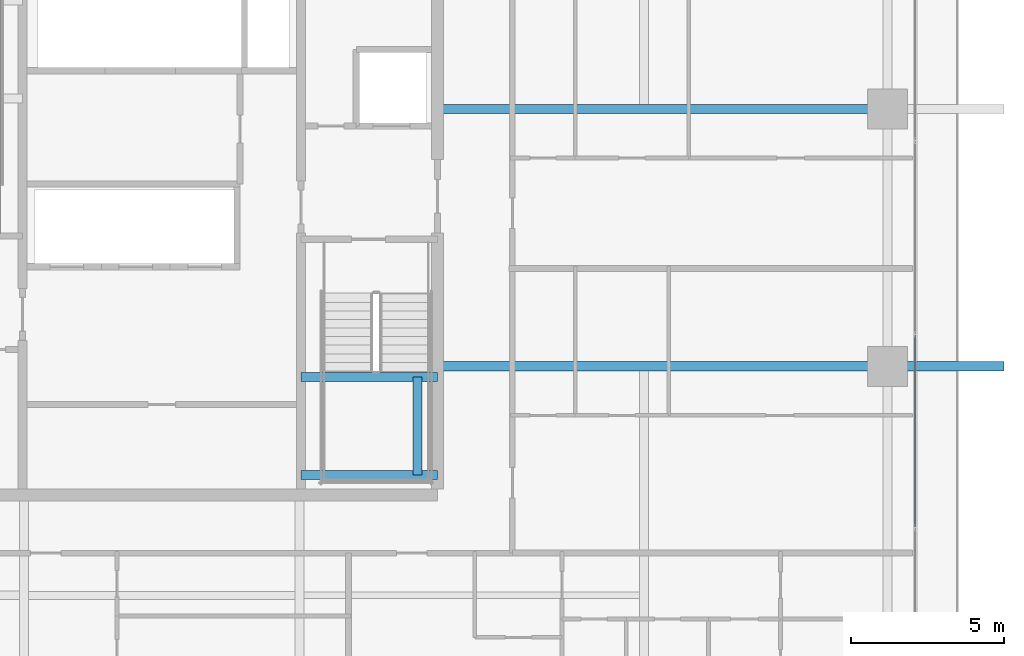
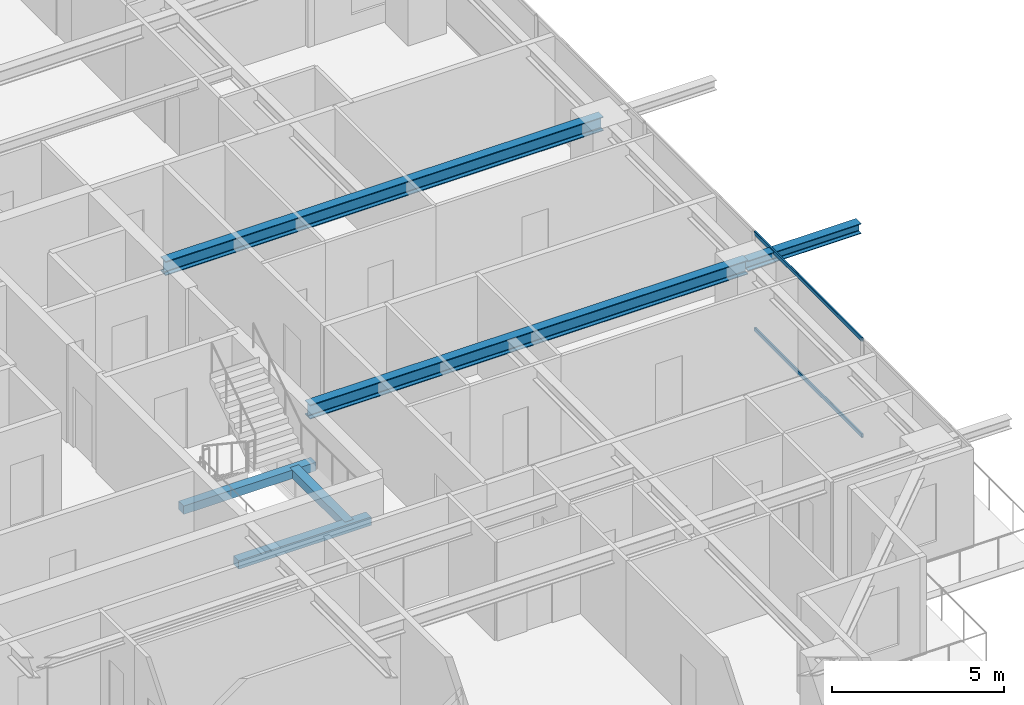
# One storey, part 15 of 37: 6 beams, 2 members, 1 element without a shape of its own.
"""IFC4 building model written with IfcOpenShell, lengths in metres."""

import ifcopenshell
import ifcopenshell.guid

model = None  # the IFC model being written
_history = None  # IfcOwnerHistory: only IFC2X3 demands one
_inside = {}  # id of a spatial element -> (the spatial element, [elements in it])
_under = {}  # id of a project, library or spatial element -> (it, [spatial elements below it])
_declared = {}  # id of a project -> (the project, [libraries it declares])
_typed = {}  # id of a type object -> (the type object, [elements of that type])
_made_of = {}  # id of a material, layer set ... -> (it, [elements and type objects made of it])


def new_model(schema):
    """Start an empty IFC model of exactly this schema.

    Asked for "IFC4X3", IfcOpenShell would pick the latest addendum, in which some entities
    have other attributes; the version numbers below select the first issue.
    IFC2X3 requires an IfcOwnerHistory on every rooted entity: one is made here for all.
    """
    global model, _history
    if schema == "IFC4X3":
        model = ifcopenshell.file(schema_version=(4, 3, 0, 0))
    else:
        model = ifcopenshell.file(schema=schema)
    _inside.clear()
    _under.clear()
    _declared.clear()
    _typed.clear()
    _made_of.clear()
    _history = None
    if model.schema == "IFC2X3":
        org = make("IfcOrganization", Name="unknown")
        user = make(
            "IfcPersonAndOrganization",
            ThePerson=make("IfcPerson", FamilyName="unknown"),
            TheOrganization=org,
        )
        app = make(
            "IfcApplication",
            ApplicationDeveloper=org,
            Version="unknown",
            ApplicationFullName="unknown",
            ApplicationIdentifier="unknown",
        )
        _history = make(
            "IfcOwnerHistory",
            OwningUser=user,
            OwningApplication=app,
            ChangeAction="ADDED",
            CreationDate=0,
        )
    return model


def make(cls, **values):
    """One entity of the class cls with the attributes given. An attribute that is None is left unset."""
    return model.create_entity(
        cls, **{name: value for name, value in values.items() if value is not None}
    )


def rooted(cls, **values):
    """An entity with a GlobalId (a new one), such as an element, a storey or a relation."""
    return make(cls, GlobalId=ifcopenshell.guid.new(), OwnerHistory=_history, **values)


def si_unit(unit_type, name, prefix=None):
    """IfcSIUnit, for example si_unit("LENGTHUNIT", "METRE", prefix="MILLI")."""
    return make("IfcSIUnit", UnitType=unit_type, Prefix=prefix, Name=name)


def assignment(units):
    """IfcUnitAssignment: the units of a project."""
    return None if units is None else make("IfcUnitAssignment", Units=units)


def point(xyz):
    """IfcCartesianPoint."""
    return None if xyz is None else make("IfcCartesianPoint", Coordinates=xyz)


def direction(xyz):
    """IfcDirection."""
    return None if xyz is None else make("IfcDirection", DirectionRatios=xyz)


def frame(location, z_axis=None, x_axis=None):
    """IfcAxis2Placement3D, a coordinate frame: its origin and axes. An axis left out is left unset."""
    return make(
        "IfcAxis2Placement3D",
        Location=point(location),
        Axis=direction(z_axis),
        RefDirection=direction(x_axis),
    )


def frame_2d(location, x_axis=None):
    """IfcAxis2Placement2D, a coordinate frame in the plane: its origin and x axis."""
    return make(
        "IfcAxis2Placement2D", Location=point(location), RefDirection=direction(x_axis)
    )


def origin():
    """The frame at (0, 0, 0) with its axes left unset."""
    return frame((0.0, 0.0, 0.0))


def origin_2d():
    """The frame at (0, 0) in the plane with its x axis left unset."""
    return frame_2d((0.0, 0.0))


def place(relative_to, where):
    """IfcLocalPlacement: puts the frame where relative to a parent placement (None: the world)."""
    return make(
        "IfcLocalPlacement", PlacementRelTo=relative_to, RelativePlacement=where
    )


def context(
    kind, dimensions, precision=None, world=None, true_north=None, identifier=None
):
    """IfcGeometricRepresentationContext, for example the 3D "Model" context."""
    return make(
        "IfcGeometricRepresentationContext",
        ContextIdentifier=identifier,
        ContextType=kind,
        CoordinateSpaceDimension=dimensions,
        Precision=precision,
        WorldCoordinateSystem=world,
        TrueNorth=true_north,
    )


def subcontext(parent, identifier, kind, view, scale=None):
    """IfcGeometricRepresentationSubContext, for example "Body" below "Model"."""
    return make(
        "IfcGeometricRepresentationSubContext",
        ContextIdentifier=identifier,
        ContextType=kind,
        ParentContext=parent,
        TargetScale=scale,
        TargetView=view,
    )


def project(units=None, contexts=None):
    """IfcProject with its units and contexts."""
    return rooted(
        "IfcProject",
        Name="project",
        RepresentationContexts=contexts,
        UnitsInContext=assignment(units),
    )


def spatial(cls, under=None, at=None, **own):
    """A site, building, storey or space (cls), placed at a placement, below another one or the project."""
    s = rooted(cls, ObjectPlacement=at, **own)
    if under is not None:
        _under.setdefault(under.id(), (under, []))[1].append(s)
    return s


def profile(cls, at=None, kind="AREA", **sizes):
    """A parametric profile (cls). Its sizes go by their IFC names, for example OverallWidth=200.0."""
    return make(cls, ProfileType=kind, Position=at, **sizes)


def rectangle(**sizes):
    """IfcRectangleProfileDef."""
    return profile("IfcRectangleProfileDef", **sizes)


def hollow_rectangle(**sizes):
    """IfcRectangleHollowProfileDef."""
    return profile("IfcRectangleHollowProfileDef", **sizes)


def i_section(**sizes):
    """IfcIShapeProfileDef."""
    return profile("IfcIShapeProfileDef", **sizes)


def extrude(swept, where, along, depth):
    """IfcExtrudedAreaSolid: the profile swept, set in the frame where, extruded along a direction by depth."""
    return make(
        "IfcExtrudedAreaSolid",
        SweptArea=swept,
        Position=where,
        ExtrudedDirection=direction(along),
        Depth=depth,
    )


def shape(context_of_items, identifier, shape_type, items):
    """IfcShapeRepresentation: the items that make up one representation, for example the "Body"."""
    return make(
        "IfcShapeRepresentation",
        ContextOfItems=context_of_items,
        RepresentationIdentifier=identifier,
        RepresentationType=shape_type,
        Items=items,
    )


def source(mapping_origin, context_of_items, identifier, shape_type, items):
    """IfcRepresentationMap: a shape defined once, which mapped items show again and again."""
    return make(
        "IfcRepresentationMap",
        MappingOrigin=mapping_origin,
        MappedRepresentation=shape(context_of_items, identifier, shape_type, items),
    )


def transform(
    local_origin,
    x_axis=None,
    y_axis=None,
    z_axis=None,
    scale=None,
    scale2=None,
    scale3=None,
    uniform=True,
):
    """IfcCartesianTransformationOperator3D, or its non-uniform kind. x_axis, y_axis, z_axis: its Axis1, 2, 3."""
    if uniform:
        return make(
            "IfcCartesianTransformationOperator3D",
            Axis1=direction(x_axis),
            Axis2=direction(y_axis),
            LocalOrigin=point(local_origin),
            Scale=scale,
            Axis3=direction(z_axis),
        )
    return make(
        "IfcCartesianTransformationOperator3DnonUniform",
        Axis1=direction(x_axis),
        Axis2=direction(y_axis),
        LocalOrigin=point(local_origin),
        Scale=scale,
        Axis3=direction(z_axis),
        Scale2=scale2,
        Scale3=scale3,
    )


def mapped(mapping_source, mapping_target):
    """IfcMappedItem: shows the shape of a source again, moved by a transform."""
    return make(
        "IfcMappedItem", MappingSource=mapping_source, MappingTarget=mapping_target
    )


def material(Name=None, Category=None):
    """IfcMaterial."""
    return make("IfcMaterial", Name=Name, Category=Category)


def layer(
    of_material, thickness, ventilated=None, Name=None, Category=None, Priority=None
):
    """IfcMaterialLayer: one layer of a wall or slab, of a material (None: an air gap)."""
    return make(
        "IfcMaterialLayer",
        Material=of_material,
        LayerThickness=thickness,
        IsVentilated=ventilated,
        Name=Name,
        Category=Category,
        Priority=Priority,
    )


def layer_set(layers, Name=None):
    """IfcMaterialLayerSet."""
    return make("IfcMaterialLayerSet", MaterialLayers=layers, LayerSetName=Name)


def material_profile(
    of_material, cross_section, Name=None, Category=None, Priority=None
):
    """IfcMaterialProfile: a cross section and its material."""
    return make(
        "IfcMaterialProfile",
        Name=Name,
        Material=of_material,
        Profile=cross_section,
        Priority=Priority,
        Category=Category,
    )


def profile_set(profiles, Name=None, composite=None):
    """IfcMaterialProfileSet."""
    return make(
        "IfcMaterialProfileSet",
        Name=Name,
        MaterialProfiles=profiles,
        CompositeProfile=composite,
    )


def made_of(thing, what):
    """Note that an element or type object is made of a material, layer set ...; save() writes the relation."""
    if what is not None:
        _made_of.setdefault(what.id(), (what, []))[1].append(thing)
    return thing


def type_object(cls, material=None, **own):
    """A type object (cls), such as IfcWallType, which elements share."""
    return made_of(rooted(cls, **own), material)


def element(
    cls,
    number,
    at=None,
    inside=None,
    cuts=None,
    type_object=None,
    material=None,
    context=None,
    identifier="Body",
    shape_type=None,
    held_by="IfcProductDefinitionShape",
    body=None,
    shapes=None,
    **own,
):
    """One element of the class cls, such as IfcWall. Its Tag is "e" and its number.

    at: its placement. inside: the storey or other place that contains it. cuts: it is an
    opening in that element (IfcRelVoidsElement). A single representation is given by context,
    identifier, shape_type and body (its items); several are given by shapes. held_by: the class
    of the entity that holds the representations. save() writes the other relations.
    """
    e = rooted(cls, Tag="e%d" % number, ObjectPlacement=at, **own)
    if body is not None:
        shapes = [shape(context, identifier, shape_type, body)]
    if shapes is not None:
        e.Representation = make(held_by, Representations=shapes)
    if inside is not None:
        _inside.setdefault(inside.id(), (inside, []))[1].append(e)
    if cuts is not None:
        rooted(
            "IfcRelVoidsElement", RelatingBuildingElement=cuts, RelatedOpeningElement=e
        )
    if type_object is not None:
        _typed.setdefault(type_object.id(), (type_object, []))[1].append(e)
    return made_of(e, material)


def aggregate(whole, parts):
    """IfcRelAggregates: a whole, such as a stair, and the parts it consists of."""
    return rooted("IfcRelAggregates", RelatingObject=whole, RelatedObjects=parts)


def save(model, path):
    """Write the relations noted so far, then the file.

    IfcRelAggregates (storeys below a building ...), IfcRelContainedInSpatialStructure (elements
    in a storey), IfcRelDefinesByType, IfcRelAssociatesMaterial and IfcRelDeclares: one each for
    every whole, place, type object, material and project.
    """
    for whole, parts in _under.values():
        aggregate(whole, parts)
    for where, things in _inside.values():
        rooted(
            "IfcRelContainedInSpatialStructure",
            RelatedElements=things,
            RelatingStructure=where,
        )
    for kind, things in _typed.values():
        rooted("IfcRelDefinesByType", RelatedObjects=things, RelatingType=kind)
    for what, things in _made_of.values():
        rooted("IfcRelAssociatesMaterial", RelatedObjects=things, RelatingMaterial=what)
    for by, libraries in _declared.values():
        rooted("IfcRelDeclares", RelatingContext=by, RelatedDefinitions=libraries)
    model.write(path)


model = new_model("IFC4")

# Units and contexts
model_context = context("Model", 3, precision=1e-05, world=origin(), true_north=direction((0.0, 1.0)))
body_context = subcontext(model_context, "Body", "Model", "MODEL_VIEW")
ifc_project = project(units=[si_unit("LENGTHUNIT", "METRE"), si_unit("AREAUNIT", "SQUARE_METRE"), si_unit("VOLUMEUNIT", "CUBIC_METRE"), si_unit("PLANEANGLEUNIT", "RADIAN"), si_unit("MASSUNIT", "GRAM", prefix="KILO")], contexts=[model_context])

# Site, building, storey
site_placement = place(None, origin())
site = spatial("IfcSite", under=ifc_project, at=site_placement, CompositionType="ELEMENT")
building_placement = place(site_placement, origin())
building = spatial("IfcBuilding", under=site, at=building_placement, Name="Serunith Strait Residences", CompositionType="ELEMENT")
storey_placement = place(building_placement, frame((0.0, 0.0, 127.64990234375)))
storey = spatial("IfcBuildingStorey", under=building, at=storey_placement, Name="L31", CompositionType="ELEMENT", Elevation=127.64990234375)

# Beams
ifc_material_1 = material(Name="Steel S355J2", Category="steel")
ifc_material_profile_1 = material_profile(ifc_material_1, i_section(OverallWidth=0.300048828125, OverallDepth=0.5, WebThickness=0.014404296875, FlangeThickness=0.028076171875, FilletRadius=0.027099609375, at=origin_2d()), Name="HEB 500")
ifc_profile_set_1 = profile_set([ifc_material_profile_1], Name="Steel S355J2")
beam_type_1 = type_object("IfcBeamType", Name="BM-HEB500", PredefinedType="BEAM", material=ifc_profile_set_1)
shared_shape_1 = source(origin(), body_context, "Body", "SweptSolid", [
    extrude(i_section(OverallWidth=0.300048828125, OverallDepth=0.5, WebThickness=0.014404296875, FlangeThickness=0.028076171875, FilletRadius=0.027099609375, at=origin_2d()), origin(), (0.0, 0.0, 1.0), 14.7001953125),
])
for number, where, z_axis, x_axis, name in (
    (1, (41.39990234375, 21.0, 3.237060546875), (1.0, 0.0, 0.0), (0.0, 1.0, 0.0), "L31 Primary Floor Girder TC-E2"),
    (2, (41.39990234375, 29.39990234375, 3.237060546875), (1.0, 0.0, 0.0), (0.0, 1.0, 0.0), "L31 Primary Floor Girder TC-E3"),
):
    element("IfcBeam", number, at=place(storey_placement, frame(where, z_axis=z_axis, x_axis=x_axis)), inside=storey, type_object=beam_type_1, Name=name, PredefinedType="BEAM", context=body_context, shape_type="MappedRepresentation", body=[
        mapped(shared_shape_1, transform((0.0, 0.0, 0.0), scale=1.0)),
    ])
ifc_material_profile_2 = material_profile(ifc_material_1, i_section(OverallWidth=0.300048828125, OverallDepth=0.360107421875, WebThickness=0.012451171875, FlangeThickness=0.0224609375, FilletRadius=0.027099609375, at=origin_2d()), Name="HEB 360")
ifc_profile_set_2 = profile_set([ifc_material_profile_2], Name="Steel S355J2")
beam_type_2 = type_object("IfcBeamType", Name="BM-HEB360", PredefinedType="BEAM", material=ifc_profile_set_2)
shared_shape_2 = source(origin(), body_context, "Body", "SweptSolid", [
    extrude(i_section(OverallWidth=0.300048828125, OverallDepth=0.360107421875, WebThickness=0.012451171875, FlangeThickness=0.0224609375, FilletRadius=0.027099609375, at=origin_2d()), origin(), (0.0, 0.0, 1.0), 3.7998046875),
])
beam_1_placement = place(storey_placement, frame((56.10009765625, 21.0, 3.277099609375), z_axis=(1.0, 0.0, 0.0), x_axis=(0.0, 1.0, 0.0)))
element("IfcBeam", 3, at=beam_1_placement, inside=storey, type_object=beam_type_2, Name="L32 Cantilevered Balcony Rib TC-E2", PredefinedType="BEAM", context=body_context, shape_type="MappedRepresentation", body=[
    mapped(shared_shape_2, transform((0.0, 0.0, 0.0), scale=1.0)),
])
ifc_material_2 = material(Name="Concrete C60/75", Category="concrete")
ifc_material_profile_3 = material_profile(ifc_material_2, rectangle(XDim=0.300048828125, YDim=0.300048828125, at=origin_2d()), Name="RC 300x300")
ifc_profile_set_3 = profile_set([ifc_material_profile_3], Name="Concrete C60/75")
beam_type_3 = type_object("IfcBeamType", Name="BM-LAND-300x300", PredefinedType="BEAM", material=ifc_profile_set_3)
shared_shape_3 = source(origin(), body_context, "Body", "SweptSolid", [
    extrude(rectangle(XDim=0.300048828125, YDim=0.300048828125, at=origin_2d()), origin(), (0.0, 0.0, 1.0), 3.199951171875),
])
beam_2_placement = place(storey_placement, frame((40.75, 17.449951171875, 1.525146484375), z_axis=(0.0, 1.0, 0.0), x_axis=(-1.0, 0.0, 0.0)))
element("IfcBeam", 4, at=beam_2_placement, inside=storey, type_object=beam_type_3, Name="L31 ST-2 Landing Transverse Tie Beam", PredefinedType="BEAM", context=body_context, shape_type="MappedRepresentation", body=[
    mapped(shared_shape_3, transform((0.0, 0.0, 0.0), scale=1.0)),
])
shared_shape_4 = source(origin(), body_context, "Body", "SweptSolid", [
    extrude(rectangle(XDim=0.300048828125, YDim=0.300048828125, at=origin_2d()), origin(), (0.0, 0.0, 1.0), 4.449951171875),
])
for number, where, z_axis, x_axis, name in (
    (5, (36.949951171875, 17.449951171875, 1.525146484375), (1.0, 0.0, 0.0), (0.0, 1.0, 0.0), "L31 ST-2 Landing Support Beam 1"),
    (6, (36.949951171875, 20.64990234375, 1.525146484375), (1.0, 0.0, 0.0), (0.0, 1.0, 0.0), "L31 ST-2 Landing Support Beam 2"),
):
    element("IfcBeam", number, at=place(storey_placement, frame(where, z_axis=z_axis, x_axis=x_axis)), inside=storey, type_object=beam_type_3, Name=name, PredefinedType="BEAM", context=body_context, shape_type="MappedRepresentation", body=[
        mapped(shared_shape_4, transform((0.0, 0.0, 0.0), scale=1.0)),
    ])

# Curtain wall, members
ifc_material_3 = material(Name="Pale-Champagne Anodised Aluminium", Category="aluminium")
ifc_layer = layer(ifc_material_3, 0.199951171875, Name="Pale-Champagne Anodised Aluminium")
ifc_layer_set = layer_set([ifc_layer], Name="Pale-Champagne Anodised Aluminium")
curtain_wall_type = type_object("IfcCurtainWallType", Name="CW-SYS2", PredefinedType="NOTDEFINED", material=ifc_layer_set)
curtain_wall_placement = place(storey_placement, origin())
curtain_wall = element("IfcCurtainWall", 7, at=curtain_wall_placement, inside=storey, type_object=curtain_wall_type, Name="L31 E Unitised Fritted Curtain Wall", PredefinedType="NOTDEFINED")
ifc_material_profile_4 = material_profile(ifc_material_3, hollow_rectangle(XDim=0.06005859375, YDim=0.139892578125, WallThickness=0.00341796875, InnerFilletRadius=0.00537109375, OuterFilletRadius=0.0087890625, at=origin_2d()), Name="ALU 140x60x3.5")
ifc_profile_set_4 = profile_set([ifc_material_profile_4], Name="Pale-Champagne Anodised Aluminium")
member_type = type_object("IfcMemberType", Name="CW-SYS2-TRAN", PredefinedType="USERDEFINED", material=ifc_profile_set_4)
shared_shape_5 = source(origin(), body_context, "Body", "SweptSolid", [
    extrude(hollow_rectangle(XDim=0.06005859375, YDim=0.139892578125, WallThickness=0.00341796875, InnerFilletRadius=0.00537109375, OuterFilletRadius=0.0087890625, at=origin_2d()), origin(), (0.0, 0.0, 1.0), 6.25),
])
member_1_placement = place(storey_placement, frame((57.0, 15.7548828125, 0.030029296875), z_axis=(0.0, 1.0, 0.0), x_axis=(-1.0, 0.0, 0.0)))
member_1 = element("IfcMember", 8, at=member_1_placement, type_object=member_type, Name="CW-2 transom 2.1", ObjectType="TRANSOM", PredefinedType="USERDEFINED", context=body_context, shape_type="MappedRepresentation", body=[
    mapped(shared_shape_5, transform((0.0, 0.0, 0.0), scale=1.0)),
])
member_2_placement = place(storey_placement, frame((57.0, 15.7548828125, 3.445068359375), z_axis=(0.0, 1.0, 0.0), x_axis=(-1.0, 0.0, 0.0)))
member_2 = element("IfcMember", 9, at=member_2_placement, type_object=member_type, Name="CW-2 transom 2.2", ObjectType="TRANSOM", PredefinedType="USERDEFINED", context=body_context, shape_type="MappedRepresentation", body=[
    mapped(shared_shape_5, transform((0.0, 0.0, 0.0), scale=1.0)),
])
aggregate(curtain_wall, [member_1, member_2])

save(model, "model.ifc")
